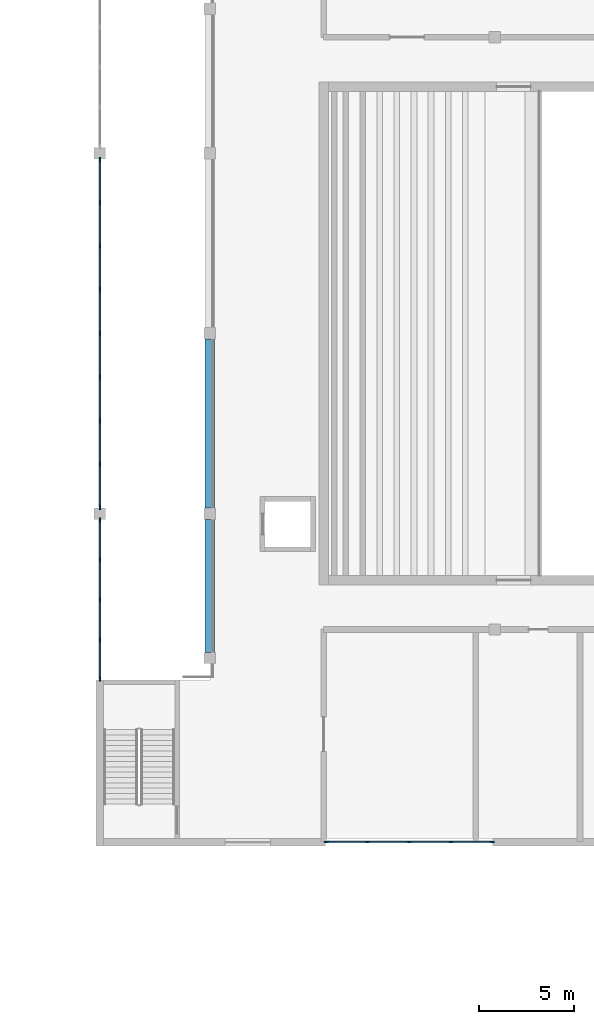
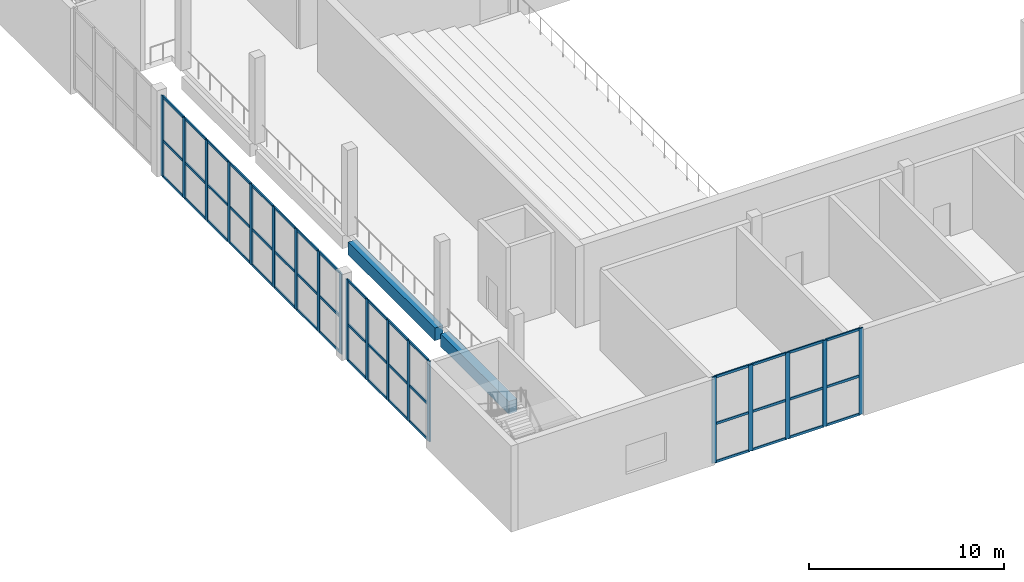
# One storey, part 9 of 43: 67 members, 2 beams, 3 elements without a shape of their own.
"""IFC4 building model written with IfcOpenShell, lengths in metres."""

from ifc_helpers import new_model, si_unit, direction, frame, origin, origin_2d, place, context, subcontext, project, spatial, rectangle, extrude, material, material_profile, profile_set, type_object, element, aggregate, save


model = new_model("IFC4")

# Units and contexts
model_context = context("Model", 3, precision=1e-05, world=origin(), true_north=direction((0.0, 1.0)))
body_context = subcontext(model_context, "Body", "Model", "MODEL_VIEW")
ifc_project = project(units=[si_unit("LENGTHUNIT", "METRE"), si_unit("AREAUNIT", "SQUARE_METRE"), si_unit("VOLUMEUNIT", "CUBIC_METRE"), si_unit("PLANEANGLEUNIT", "RADIAN"), si_unit("MASSUNIT", "GRAM", prefix="KILO")], contexts=[model_context])

# Site, building, storey
site_placement = place(None, origin())
site = spatial("IfcSite", under=ifc_project, at=site_placement, CompositionType="ELEMENT")
building_placement = place(site_placement, origin())
building = spatial("IfcBuilding", under=site, at=building_placement, Name="Hunhe Ridgeline Campus", CompositionType="ELEMENT")
storey_placement = place(building_placement, frame((0.0, 0.0, 11.39990234375)))
storey = spatial("IfcBuildingStorey", under=building, at=storey_placement, Name="L02", CompositionType="ELEMENT", Elevation=11.39990234375)

# Curtain wall, members
ifc_material_1 = material(Name="Aluminium and glass", Category="aluminium")
curtain_wall_type = type_object("IfcCurtainWallType", Name="Hall foyer curtain wall CW-H", PredefinedType="NOTDEFINED", material=ifc_material_1)
curtain_wall_1_placement = place(storey_placement, origin())
curtain_wall_1 = element("IfcCurtainWall", 1, at=curtain_wall_1_placement, inside=storey, type_object=curtain_wall_type, Name="L02 foyer curtain wall 7", PredefinedType="NOTDEFINED")
ifc_material_2 = material(Name="Aluminium", Category="aluminium")
ifc_material_profile_1 = material_profile(ifc_material_2, rectangle(XDim=0.080078125, YDim=0.25, at=origin_2d()))
ifc_profile_set_1 = profile_set([ifc_material_profile_1], Name="Aluminium")
member_type_1 = type_object("IfcMemberType", Name="CW-H mullion 80x250", PredefinedType="MULLION", material=ifc_profile_set_1)
member_1_placement = place(storey_placement, frame((150.199951171875, 31.2900390625, 0.0), z_axis=(0.0, 0.0, 1.0), x_axis=(-1.0, 0.0, 0.0)))
member_1 = element("IfcMember", 2, at=member_1_placement, type_object=member_type_1, Name="HCW1 mullion 1", PredefinedType="MULLION", context=body_context, shape_type="SweptSolid", body=[
    extrude(rectangle(XDim=0.080078125, YDim=0.25, at=origin_2d()), origin(), (0.0, 0.0, 1.0), 5.050048828125),
])
member_2_placement = place(storey_placement, frame((150.199951171875, 33.362548828125, 0.0), z_axis=(0.0, 0.0, 1.0), x_axis=(-1.0, 0.0, 0.0)))
member_2 = element("IfcMember", 3, at=member_2_placement, type_object=member_type_1, Name="HCW1 mullion 2", PredefinedType="MULLION", context=body_context, shape_type="SweptSolid", body=[
    extrude(rectangle(XDim=0.080078125, YDim=0.25, at=origin_2d()), origin(), (0.0, 0.0, 1.0), 5.050048828125),
])
member_3_placement = place(storey_placement, frame((150.199951171875, 35.47509765625, 0.0), z_axis=(0.0, 0.0, 1.0), x_axis=(-1.0, 0.0, 0.0)))
member_3 = element("IfcMember", 4, at=member_3_placement, type_object=member_type_1, Name="HCW1 mullion 3", PredefinedType="MULLION", context=body_context, shape_type="SweptSolid", body=[
    extrude(rectangle(XDim=0.080078125, YDim=0.25, at=origin_2d()), origin(), (0.0, 0.0, 1.0), 5.050048828125),
])
member_4_placement = place(storey_placement, frame((150.199951171875, 37.58740234375, 0.0), z_axis=(0.0, 0.0, 1.0), x_axis=(-1.0, 0.0, 0.0)))
member_4 = element("IfcMember", 5, at=member_4_placement, type_object=member_type_1, Name="HCW1 mullion 4", PredefinedType="MULLION", context=body_context, shape_type="SweptSolid", body=[
    extrude(rectangle(XDim=0.080078125, YDim=0.25, at=origin_2d()), origin(), (0.0, 0.0, 1.0), 5.050048828125),
])
member_5_placement = place(storey_placement, frame((150.199951171875, 39.659912109375, 0.0), z_axis=(0.0, 0.0, 1.0), x_axis=(-1.0, 0.0, 0.0)))
member_5 = element("IfcMember", 6, at=member_5_placement, type_object=member_type_1, Name="HCW1 mullion 5", PredefinedType="MULLION", context=body_context, shape_type="SweptSolid", body=[
    extrude(rectangle(XDim=0.080078125, YDim=0.25, at=origin_2d()), origin(), (0.0, 0.0, 1.0), 5.050048828125),
])

curtain_wall_2_placement = place(storey_placement, origin())
curtain_wall_2 = element("IfcCurtainWall", 7, at=curtain_wall_2_placement, inside=storey, type_object=curtain_wall_type, Name="L02 foyer curtain wall 8", PredefinedType="NOTDEFINED")
member_6_placement = place(storey_placement, frame((150.199951171875, 40.340087890625, 0.0), z_axis=(0.0, 0.0, 1.0), x_axis=(-1.0, 0.0, 0.0)))
member_6 = element("IfcMember", 8, at=member_6_placement, type_object=member_type_1, Name="HCW1 mullion 1", PredefinedType="MULLION", context=body_context, shape_type="SweptSolid", body=[
    extrude(rectangle(XDim=0.080078125, YDim=0.25, at=origin_2d()), origin(), (0.0, 0.0, 1.0), 5.050048828125),
])
member_7_placement = place(storey_placement, frame((150.199951171875, 42.60009765625, 0.0), z_axis=(0.0, 0.0, 1.0), x_axis=(-1.0, 0.0, 0.0)))
member_7 = element("IfcMember", 9, at=member_7_placement, type_object=member_type_1, Name="HCW1 mullion 2", PredefinedType="MULLION", context=body_context, shape_type="SweptSolid", body=[
    extrude(rectangle(XDim=0.080078125, YDim=0.25, at=origin_2d()), origin(), (0.0, 0.0, 1.0), 5.050048828125),
])
member_8_placement = place(storey_placement, frame((150.199951171875, 44.89990234375, 0.0), z_axis=(0.0, 0.0, 1.0), x_axis=(-1.0, 0.0, 0.0)))
member_8 = element("IfcMember", 10, at=member_8_placement, type_object=member_type_1, Name="HCW1 mullion 3", PredefinedType="MULLION", context=body_context, shape_type="SweptSolid", body=[
    extrude(rectangle(XDim=0.080078125, YDim=0.25, at=origin_2d()), origin(), (0.0, 0.0, 1.0), 5.050048828125),
])
member_9_placement = place(storey_placement, frame((150.199951171875, 47.199951171875, 0.0), z_axis=(0.0, 0.0, 1.0), x_axis=(-1.0, 0.0, 0.0)))
member_9 = element("IfcMember", 11, at=member_9_placement, type_object=member_type_1, Name="HCW1 mullion 4", PredefinedType="MULLION", context=body_context, shape_type="SweptSolid", body=[
    extrude(rectangle(XDim=0.080078125, YDim=0.25, at=origin_2d()), origin(), (0.0, 0.0, 1.0), 5.050048828125),
])
member_10_placement = place(storey_placement, frame((150.199951171875, 49.5, 0.0), z_axis=(0.0, 0.0, 1.0), x_axis=(-1.0, 0.0, 0.0)))
member_10 = element("IfcMember", 12, at=member_10_placement, type_object=member_type_1, Name="HCW1 mullion 5", PredefinedType="MULLION", context=body_context, shape_type="SweptSolid", body=[
    extrude(rectangle(XDim=0.080078125, YDim=0.25, at=origin_2d()), origin(), (0.0, 0.0, 1.0), 5.050048828125),
])
member_11_placement = place(storey_placement, frame((150.199951171875, 51.800048828125, 0.0), z_axis=(0.0, 0.0, 1.0), x_axis=(-1.0, 0.0, 0.0)))
member_11 = element("IfcMember", 13, at=member_11_placement, type_object=member_type_1, Name="HCW1 mullion 6", PredefinedType="MULLION", context=body_context, shape_type="SweptSolid", body=[
    extrude(rectangle(XDim=0.080078125, YDim=0.25, at=origin_2d()), origin(), (0.0, 0.0, 1.0), 5.050048828125),
])
member_12_placement = place(storey_placement, frame((150.199951171875, 54.10009765625, 0.0), z_axis=(0.0, 0.0, 1.0), x_axis=(-1.0, 0.0, 0.0)))
member_12 = element("IfcMember", 14, at=member_12_placement, type_object=member_type_1, Name="HCW1 mullion 7", PredefinedType="MULLION", context=body_context, shape_type="SweptSolid", body=[
    extrude(rectangle(XDim=0.080078125, YDim=0.25, at=origin_2d()), origin(), (0.0, 0.0, 1.0), 5.050048828125),
])
member_13_placement = place(storey_placement, frame((150.199951171875, 56.39990234375, 0.0), z_axis=(0.0, 0.0, 1.0), x_axis=(-1.0, 0.0, 0.0)))
member_13 = element("IfcMember", 15, at=member_13_placement, type_object=member_type_1, Name="HCW1 mullion 8", PredefinedType="MULLION", context=body_context, shape_type="SweptSolid", body=[
    extrude(rectangle(XDim=0.080078125, YDim=0.25, at=origin_2d()), origin(), (0.0, 0.0, 1.0), 5.050048828125),
])
member_14_placement = place(storey_placement, frame((150.199951171875, 58.659912109375, 0.0), z_axis=(0.0, 0.0, 1.0), x_axis=(-1.0, 0.0, 0.0)))
member_14 = element("IfcMember", 16, at=member_14_placement, type_object=member_type_1, Name="HCW1 mullion 9", PredefinedType="MULLION", context=body_context, shape_type="SweptSolid", body=[
    extrude(rectangle(XDim=0.080078125, YDim=0.25, at=origin_2d()), origin(), (0.0, 0.0, 1.0), 5.050048828125),
])

curtain_wall_3_placement = place(storey_placement, origin())
curtain_wall_3 = element("IfcCurtainWall", 17, at=curtain_wall_3_placement, inside=storey, type_object=curtain_wall_type, Name="L02 south curtain wall 10", PredefinedType="NOTDEFINED")
member_15_placement = place(storey_placement, frame((162.139892578125, 22.699951171875, -0.349853515625), z_axis=(0.0, 0.0, 1.0), x_axis=(0.0, 1.0, 0.0)))
member_15 = element("IfcMember", 18, at=member_15_placement, type_object=member_type_1, Name="HCW1 mullion 1", PredefinedType="MULLION", context=body_context, shape_type="SweptSolid", body=[
    extrude(rectangle(XDim=0.080078125, YDim=0.25, at=origin_2d()), origin(), (0.0, 0.0, 1.0), 5.39990234375),
])
member_16_placement = place(storey_placement, frame((164.300048828125, 22.699951171875, -0.349853515625), z_axis=(0.0, 0.0, 1.0), x_axis=(0.0, 1.0, 0.0)))
member_16 = element("IfcMember", 19, at=member_16_placement, type_object=member_type_1, Name="HCW1 mullion 2", PredefinedType="MULLION", context=body_context, shape_type="SweptSolid", body=[
    extrude(rectangle(XDim=0.080078125, YDim=0.25, at=origin_2d()), origin(), (0.0, 0.0, 1.0), 5.39990234375),
])
member_17_placement = place(storey_placement, frame((166.5, 22.699951171875, -0.349853515625), z_axis=(0.0, 0.0, 1.0), x_axis=(0.0, 1.0, 0.0)))
member_17 = element("IfcMember", 20, at=member_17_placement, type_object=member_type_1, Name="HCW1 mullion 3", PredefinedType="MULLION", context=body_context, shape_type="SweptSolid", body=[
    extrude(rectangle(XDim=0.080078125, YDim=0.25, at=origin_2d()), origin(), (0.0, 0.0, 1.0), 5.39990234375),
])
member_18_placement = place(storey_placement, frame((168.699951171875, 22.699951171875, -0.349853515625), z_axis=(0.0, 0.0, 1.0), x_axis=(0.0, 1.0, 0.0)))
member_18 = element("IfcMember", 21, at=member_18_placement, type_object=member_type_1, Name="HCW1 mullion 4", PredefinedType="MULLION", context=body_context, shape_type="SweptSolid", body=[
    extrude(rectangle(XDim=0.080078125, YDim=0.25, at=origin_2d()), origin(), (0.0, 0.0, 1.0), 5.39990234375),
])
member_19_placement = place(storey_placement, frame((170.860107421875, 22.699951171875, -0.349853515625), z_axis=(0.0, 0.0, 1.0), x_axis=(0.0, 1.0, 0.0)))
member_19 = element("IfcMember", 22, at=member_19_placement, type_object=member_type_1, Name="HCW1 mullion 5", PredefinedType="MULLION", context=body_context, shape_type="SweptSolid", body=[
    extrude(rectangle(XDim=0.080078125, YDim=0.25, at=origin_2d()), origin(), (0.0, 0.0, 1.0), 5.39990234375),
])

# Member
ifc_material_profile_2 = material_profile(ifc_material_2, rectangle(XDim=0.080078125, YDim=0.14990234375, at=origin_2d()))
ifc_profile_set_2 = profile_set([ifc_material_profile_2], Name="Aluminium")
member_type_2 = type_object("IfcMemberType", Name="CW-H transom 80x150", PredefinedType="USERDEFINED", material=ifc_profile_set_2)
member_20_placement = place(storey_placement, frame((150.199951171875, 31.330078125, 0.0400390625), z_axis=(0.0, 1.0, 0.0), x_axis=(-1.0, 0.0, 0.0)))
member_20 = element("IfcMember", 23, at=member_20_placement, type_object=member_type_2, Name="HCW1 transom 1.1", ObjectType="TRANSOM", PredefinedType="USERDEFINED", context=body_context, shape_type="SweptSolid", body=[
    extrude(rectangle(XDim=0.080078125, YDim=0.14990234375, at=origin_2d()), origin(), (0.0, 0.0, 1.0), 1.992431640625),
])

member_21_placement = place(storey_placement, frame((150.199951171875, 31.330078125, 2.272705078125), z_axis=(0.0, 1.0, 0.0), x_axis=(-1.0, 0.0, 0.0)))
member_21 = element("IfcMember", 24, at=member_21_placement, type_object=member_type_2, Name="HCW1 transom 1.2", ObjectType="TRANSOM", PredefinedType="USERDEFINED", context=body_context, shape_type="SweptSolid", body=[
    extrude(rectangle(XDim=0.080078125, YDim=0.14990234375, at=origin_2d()), origin(), (0.0, 0.0, 1.0), 1.992431640625),
])

member_22_placement = place(storey_placement, frame((150.199951171875, 31.330078125, 5.010009765625), z_axis=(0.0, 1.0, 0.0), x_axis=(-1.0, 0.0, 0.0)))
member_22 = element("IfcMember", 25, at=member_22_placement, type_object=member_type_2, Name="HCW1 transom 1.3", ObjectType="TRANSOM", PredefinedType="USERDEFINED", context=body_context, shape_type="SweptSolid", body=[
    extrude(rectangle(XDim=0.080078125, YDim=0.14990234375, at=origin_2d()), origin(), (0.0, 0.0, 1.0), 1.992431640625),
])

member_23_placement = place(storey_placement, frame((150.199951171875, 33.402587890625, 0.0400390625), z_axis=(0.0, 1.0, 0.0), x_axis=(-1.0, 0.0, 0.0)))
member_23 = element("IfcMember", 26, at=member_23_placement, type_object=member_type_2, Name="HCW1 transom 2.1", ObjectType="TRANSOM", PredefinedType="USERDEFINED", context=body_context, shape_type="SweptSolid", body=[
    extrude(rectangle(XDim=0.080078125, YDim=0.14990234375, at=origin_2d()), origin(), (0.0, 0.0, 1.0), 2.032470703125),
])

member_24_placement = place(storey_placement, frame((150.199951171875, 33.402587890625, 2.272705078125), z_axis=(0.0, 1.0, 0.0), x_axis=(-1.0, 0.0, 0.0)))
member_24 = element("IfcMember", 27, at=member_24_placement, type_object=member_type_2, Name="HCW1 transom 2.2", ObjectType="TRANSOM", PredefinedType="USERDEFINED", context=body_context, shape_type="SweptSolid", body=[
    extrude(rectangle(XDim=0.080078125, YDim=0.14990234375, at=origin_2d()), origin(), (0.0, 0.0, 1.0), 2.032470703125),
])

member_25_placement = place(storey_placement, frame((150.199951171875, 33.402587890625, 5.010009765625), z_axis=(0.0, 1.0, 0.0), x_axis=(-1.0, 0.0, 0.0)))
member_25 = element("IfcMember", 28, at=member_25_placement, type_object=member_type_2, Name="HCW1 transom 2.3", ObjectType="TRANSOM", PredefinedType="USERDEFINED", context=body_context, shape_type="SweptSolid", body=[
    extrude(rectangle(XDim=0.080078125, YDim=0.14990234375, at=origin_2d()), origin(), (0.0, 0.0, 1.0), 2.032470703125),
])

member_26_placement = place(storey_placement, frame((150.199951171875, 35.514892578125, 0.0400390625), z_axis=(0.0, 1.0, 0.0), x_axis=(-1.0, 0.0, 0.0)))
member_26 = element("IfcMember", 29, at=member_26_placement, type_object=member_type_2, Name="HCW1 transom 3.1", ObjectType="TRANSOM", PredefinedType="USERDEFINED", context=body_context, shape_type="SweptSolid", body=[
    extrude(rectangle(XDim=0.080078125, YDim=0.14990234375, at=origin_2d()), origin(), (0.0, 0.0, 1.0), 2.03271484375),
])

member_27_placement = place(storey_placement, frame((150.199951171875, 35.514892578125, 2.272705078125), z_axis=(0.0, 1.0, 0.0), x_axis=(-1.0, 0.0, 0.0)))
member_27 = element("IfcMember", 30, at=member_27_placement, type_object=member_type_2, Name="HCW1 transom 3.2", ObjectType="TRANSOM", PredefinedType="USERDEFINED", context=body_context, shape_type="SweptSolid", body=[
    extrude(rectangle(XDim=0.080078125, YDim=0.14990234375, at=origin_2d()), origin(), (0.0, 0.0, 1.0), 2.03271484375),
])

member_28_placement = place(storey_placement, frame((150.199951171875, 35.514892578125, 5.010009765625), z_axis=(0.0, 1.0, 0.0), x_axis=(-1.0, 0.0, 0.0)))
member_28 = element("IfcMember", 31, at=member_28_placement, type_object=member_type_2, Name="HCW1 transom 3.3", ObjectType="TRANSOM", PredefinedType="USERDEFINED", context=body_context, shape_type="SweptSolid", body=[
    extrude(rectangle(XDim=0.080078125, YDim=0.14990234375, at=origin_2d()), origin(), (0.0, 0.0, 1.0), 2.03271484375),
])

member_29_placement = place(storey_placement, frame((150.199951171875, 37.62744140625, 0.0400390625), z_axis=(0.0, 1.0, 0.0), x_axis=(-1.0, 0.0, 0.0)))
member_29 = element("IfcMember", 32, at=member_29_placement, type_object=member_type_2, Name="HCW1 transom 4.1", ObjectType="TRANSOM", PredefinedType="USERDEFINED", context=body_context, shape_type="SweptSolid", body=[
    extrude(rectangle(XDim=0.080078125, YDim=0.14990234375, at=origin_2d()), origin(), (0.0, 0.0, 1.0), 1.99267578125),
])

member_30_placement = place(storey_placement, frame((150.199951171875, 37.62744140625, 2.272705078125), z_axis=(0.0, 1.0, 0.0), x_axis=(-1.0, 0.0, 0.0)))
member_30 = element("IfcMember", 33, at=member_30_placement, type_object=member_type_2, Name="HCW1 transom 4.2", ObjectType="TRANSOM", PredefinedType="USERDEFINED", context=body_context, shape_type="SweptSolid", body=[
    extrude(rectangle(XDim=0.080078125, YDim=0.14990234375, at=origin_2d()), origin(), (0.0, 0.0, 1.0), 1.99267578125),
])

member_31_placement = place(storey_placement, frame((150.199951171875, 37.62744140625, 5.010009765625), z_axis=(0.0, 1.0, 0.0), x_axis=(-1.0, 0.0, 0.0)))
member_31 = element("IfcMember", 34, at=member_31_placement, type_object=member_type_2, Name="HCW1 transom 4.3", ObjectType="TRANSOM", PredefinedType="USERDEFINED", context=body_context, shape_type="SweptSolid", body=[
    extrude(rectangle(XDim=0.080078125, YDim=0.14990234375, at=origin_2d()), origin(), (0.0, 0.0, 1.0), 1.99267578125),
])

aggregate(curtain_wall_1, [member_1, member_2, member_3, member_4, member_5, member_20, member_21, member_22, member_23, member_24, member_25, member_26, member_27, member_28, member_29, member_30, member_31])

member_32_placement = place(storey_placement, frame((150.199951171875, 40.3798828125, 0.0400390625), z_axis=(0.0, 1.0, 0.0), x_axis=(-1.0, 0.0, 0.0)))
member_32 = element("IfcMember", 35, at=member_32_placement, type_object=member_type_2, Name="HCW1 transom 1.1", ObjectType="TRANSOM", PredefinedType="USERDEFINED", context=body_context, shape_type="SweptSolid", body=[
    extrude(rectangle(XDim=0.080078125, YDim=0.14990234375, at=origin_2d()), origin(), (0.0, 0.0, 1.0), 2.18017578125),
])

member_33_placement = place(storey_placement, frame((150.199951171875, 40.3798828125, 2.272705078125), z_axis=(0.0, 1.0, 0.0), x_axis=(-1.0, 0.0, 0.0)))
member_33 = element("IfcMember", 36, at=member_33_placement, type_object=member_type_2, Name="HCW1 transom 1.2", ObjectType="TRANSOM", PredefinedType="USERDEFINED", context=body_context, shape_type="SweptSolid", body=[
    extrude(rectangle(XDim=0.080078125, YDim=0.14990234375, at=origin_2d()), origin(), (0.0, 0.0, 1.0), 2.18017578125),
])

member_34_placement = place(storey_placement, frame((150.199951171875, 40.3798828125, 5.010009765625), z_axis=(0.0, 1.0, 0.0), x_axis=(-1.0, 0.0, 0.0)))
member_34 = element("IfcMember", 37, at=member_34_placement, type_object=member_type_2, Name="HCW1 transom 1.3", ObjectType="TRANSOM", PredefinedType="USERDEFINED", context=body_context, shape_type="SweptSolid", body=[
    extrude(rectangle(XDim=0.080078125, YDim=0.14990234375, at=origin_2d()), origin(), (0.0, 0.0, 1.0), 2.18017578125),
])

member_35_placement = place(storey_placement, frame((150.199951171875, 42.639892578125, 0.0400390625), z_axis=(0.0, 1.0, 0.0), x_axis=(-1.0, 0.0, 0.0)))
member_35 = element("IfcMember", 38, at=member_35_placement, type_object=member_type_2, Name="HCW1 transom 2.1", ObjectType="TRANSOM", PredefinedType="USERDEFINED", context=body_context, shape_type="SweptSolid", body=[
    extrude(rectangle(XDim=0.080078125, YDim=0.14990234375, at=origin_2d()), origin(), (0.0, 0.0, 1.0), 2.22021484375),
])

member_36_placement = place(storey_placement, frame((150.199951171875, 42.639892578125, 2.272705078125), z_axis=(0.0, 1.0, 0.0), x_axis=(-1.0, 0.0, 0.0)))
member_36 = element("IfcMember", 39, at=member_36_placement, type_object=member_type_2, Name="HCW1 transom 2.2", ObjectType="TRANSOM", PredefinedType="USERDEFINED", context=body_context, shape_type="SweptSolid", body=[
    extrude(rectangle(XDim=0.080078125, YDim=0.14990234375, at=origin_2d()), origin(), (0.0, 0.0, 1.0), 2.22021484375),
])

member_37_placement = place(storey_placement, frame((150.199951171875, 42.639892578125, 5.010009765625), z_axis=(0.0, 1.0, 0.0), x_axis=(-1.0, 0.0, 0.0)))
member_37 = element("IfcMember", 40, at=member_37_placement, type_object=member_type_2, Name="HCW1 transom 2.3", ObjectType="TRANSOM", PredefinedType="USERDEFINED", context=body_context, shape_type="SweptSolid", body=[
    extrude(rectangle(XDim=0.080078125, YDim=0.14990234375, at=origin_2d()), origin(), (0.0, 0.0, 1.0), 2.22021484375),
])

member_38_placement = place(storey_placement, frame((150.199951171875, 44.93994140625, 0.0400390625), z_axis=(0.0, 1.0, 0.0), x_axis=(-1.0, 0.0, 0.0)))
member_38 = element("IfcMember", 41, at=member_38_placement, type_object=member_type_2, Name="HCW1 transom 3.1", ObjectType="TRANSOM", PredefinedType="USERDEFINED", context=body_context, shape_type="SweptSolid", body=[
    extrude(rectangle(XDim=0.080078125, YDim=0.14990234375, at=origin_2d()), origin(), (0.0, 0.0, 1.0), 2.219970703125),
])

member_39_placement = place(storey_placement, frame((150.199951171875, 44.93994140625, 2.272705078125), z_axis=(0.0, 1.0, 0.0), x_axis=(-1.0, 0.0, 0.0)))
member_39 = element("IfcMember", 42, at=member_39_placement, type_object=member_type_2, Name="HCW1 transom 3.2", ObjectType="TRANSOM", PredefinedType="USERDEFINED", context=body_context, shape_type="SweptSolid", body=[
    extrude(rectangle(XDim=0.080078125, YDim=0.14990234375, at=origin_2d()), origin(), (0.0, 0.0, 1.0), 2.219970703125),
])

member_40_placement = place(storey_placement, frame((150.199951171875, 44.93994140625, 5.010009765625), z_axis=(0.0, 1.0, 0.0), x_axis=(-1.0, 0.0, 0.0)))
member_40 = element("IfcMember", 43, at=member_40_placement, type_object=member_type_2, Name="HCW1 transom 3.3", ObjectType="TRANSOM", PredefinedType="USERDEFINED", context=body_context, shape_type="SweptSolid", body=[
    extrude(rectangle(XDim=0.080078125, YDim=0.14990234375, at=origin_2d()), origin(), (0.0, 0.0, 1.0), 2.219970703125),
])

member_41_placement = place(storey_placement, frame((150.199951171875, 47.239990234375, 0.0400390625), z_axis=(0.0, 1.0, 0.0), x_axis=(-1.0, 0.0, 0.0)))
member_41 = element("IfcMember", 44, at=member_41_placement, type_object=member_type_2, Name="HCW1 transom 4.1", ObjectType="TRANSOM", PredefinedType="USERDEFINED", context=body_context, shape_type="SweptSolid", body=[
    extrude(rectangle(XDim=0.080078125, YDim=0.14990234375, at=origin_2d()), origin(), (0.0, 0.0, 1.0), 2.219970703125),
])

member_42_placement = place(storey_placement, frame((150.199951171875, 47.239990234375, 2.272705078125), z_axis=(0.0, 1.0, 0.0), x_axis=(-1.0, 0.0, 0.0)))
member_42 = element("IfcMember", 45, at=member_42_placement, type_object=member_type_2, Name="HCW1 transom 4.2", ObjectType="TRANSOM", PredefinedType="USERDEFINED", context=body_context, shape_type="SweptSolid", body=[
    extrude(rectangle(XDim=0.080078125, YDim=0.14990234375, at=origin_2d()), origin(), (0.0, 0.0, 1.0), 2.219970703125),
])

member_43_placement = place(storey_placement, frame((150.199951171875, 47.239990234375, 5.010009765625), z_axis=(0.0, 1.0, 0.0), x_axis=(-1.0, 0.0, 0.0)))
member_43 = element("IfcMember", 46, at=member_43_placement, type_object=member_type_2, Name="HCW1 transom 4.3", ObjectType="TRANSOM", PredefinedType="USERDEFINED", context=body_context, shape_type="SweptSolid", body=[
    extrude(rectangle(XDim=0.080078125, YDim=0.14990234375, at=origin_2d()), origin(), (0.0, 0.0, 1.0), 2.219970703125),
])

member_44_placement = place(storey_placement, frame((150.199951171875, 49.5400390625, 0.0400390625), z_axis=(0.0, 1.0, 0.0), x_axis=(-1.0, 0.0, 0.0)))
member_44 = element("IfcMember", 47, at=member_44_placement, type_object=member_type_2, Name="HCW1 transom 5.1", ObjectType="TRANSOM", PredefinedType="USERDEFINED", context=body_context, shape_type="SweptSolid", body=[
    extrude(rectangle(XDim=0.080078125, YDim=0.14990234375, at=origin_2d()), origin(), (0.0, 0.0, 1.0), 2.219970703125),
])

member_45_placement = place(storey_placement, frame((150.199951171875, 49.5400390625, 2.272705078125), z_axis=(0.0, 1.0, 0.0), x_axis=(-1.0, 0.0, 0.0)))
member_45 = element("IfcMember", 48, at=member_45_placement, type_object=member_type_2, Name="HCW1 transom 5.2", ObjectType="TRANSOM", PredefinedType="USERDEFINED", context=body_context, shape_type="SweptSolid", body=[
    extrude(rectangle(XDim=0.080078125, YDim=0.14990234375, at=origin_2d()), origin(), (0.0, 0.0, 1.0), 2.219970703125),
])

member_46_placement = place(storey_placement, frame((150.199951171875, 49.5400390625, 5.010009765625), z_axis=(0.0, 1.0, 0.0), x_axis=(-1.0, 0.0, 0.0)))
member_46 = element("IfcMember", 49, at=member_46_placement, type_object=member_type_2, Name="HCW1 transom 5.3", ObjectType="TRANSOM", PredefinedType="USERDEFINED", context=body_context, shape_type="SweptSolid", body=[
    extrude(rectangle(XDim=0.080078125, YDim=0.14990234375, at=origin_2d()), origin(), (0.0, 0.0, 1.0), 2.219970703125),
])

member_47_placement = place(storey_placement, frame((150.199951171875, 51.840087890625, 0.0400390625), z_axis=(0.0, 1.0, 0.0), x_axis=(-1.0, 0.0, 0.0)))
member_47 = element("IfcMember", 50, at=member_47_placement, type_object=member_type_2, Name="HCW1 transom 6.1", ObjectType="TRANSOM", PredefinedType="USERDEFINED", context=body_context, shape_type="SweptSolid", body=[
    extrude(rectangle(XDim=0.080078125, YDim=0.14990234375, at=origin_2d()), origin(), (0.0, 0.0, 1.0), 2.219970703125),
])

member_48_placement = place(storey_placement, frame((150.199951171875, 51.840087890625, 2.272705078125), z_axis=(0.0, 1.0, 0.0), x_axis=(-1.0, 0.0, 0.0)))
member_48 = element("IfcMember", 51, at=member_48_placement, type_object=member_type_2, Name="HCW1 transom 6.2", ObjectType="TRANSOM", PredefinedType="USERDEFINED", context=body_context, shape_type="SweptSolid", body=[
    extrude(rectangle(XDim=0.080078125, YDim=0.14990234375, at=origin_2d()), origin(), (0.0, 0.0, 1.0), 2.219970703125),
])

member_49_placement = place(storey_placement, frame((150.199951171875, 51.840087890625, 5.010009765625), z_axis=(0.0, 1.0, 0.0), x_axis=(-1.0, 0.0, 0.0)))
member_49 = element("IfcMember", 52, at=member_49_placement, type_object=member_type_2, Name="HCW1 transom 6.3", ObjectType="TRANSOM", PredefinedType="USERDEFINED", context=body_context, shape_type="SweptSolid", body=[
    extrude(rectangle(XDim=0.080078125, YDim=0.14990234375, at=origin_2d()), origin(), (0.0, 0.0, 1.0), 2.219970703125),
])

member_50_placement = place(storey_placement, frame((150.199951171875, 54.139892578125, 0.0400390625), z_axis=(0.0, 1.0, 0.0), x_axis=(-1.0, 0.0, 0.0)))
member_50 = element("IfcMember", 53, at=member_50_placement, type_object=member_type_2, Name="HCW1 transom 7.1", ObjectType="TRANSOM", PredefinedType="USERDEFINED", context=body_context, shape_type="SweptSolid", body=[
    extrude(rectangle(XDim=0.080078125, YDim=0.14990234375, at=origin_2d()), origin(), (0.0, 0.0, 1.0), 2.22021484375),
])

member_51_placement = place(storey_placement, frame((150.199951171875, 54.139892578125, 2.272705078125), z_axis=(0.0, 1.0, 0.0), x_axis=(-1.0, 0.0, 0.0)))
member_51 = element("IfcMember", 54, at=member_51_placement, type_object=member_type_2, Name="HCW1 transom 7.2", ObjectType="TRANSOM", PredefinedType="USERDEFINED", context=body_context, shape_type="SweptSolid", body=[
    extrude(rectangle(XDim=0.080078125, YDim=0.14990234375, at=origin_2d()), origin(), (0.0, 0.0, 1.0), 2.22021484375),
])

member_52_placement = place(storey_placement, frame((150.199951171875, 54.139892578125, 5.010009765625), z_axis=(0.0, 1.0, 0.0), x_axis=(-1.0, 0.0, 0.0)))
member_52 = element("IfcMember", 55, at=member_52_placement, type_object=member_type_2, Name="HCW1 transom 7.3", ObjectType="TRANSOM", PredefinedType="USERDEFINED", context=body_context, shape_type="SweptSolid", body=[
    extrude(rectangle(XDim=0.080078125, YDim=0.14990234375, at=origin_2d()), origin(), (0.0, 0.0, 1.0), 2.22021484375),
])

member_53_placement = place(storey_placement, frame((150.199951171875, 56.43994140625, 0.0400390625), z_axis=(0.0, 1.0, 0.0), x_axis=(-1.0, 0.0, 0.0)))
member_53 = element("IfcMember", 56, at=member_53_placement, type_object=member_type_2, Name="HCW1 transom 8.1", ObjectType="TRANSOM", PredefinedType="USERDEFINED", context=body_context, shape_type="SweptSolid", body=[
    extrude(rectangle(XDim=0.080078125, YDim=0.14990234375, at=origin_2d()), origin(), (0.0, 0.0, 1.0), 2.18017578125),
])

member_54_placement = place(storey_placement, frame((150.199951171875, 56.43994140625, 2.272705078125), z_axis=(0.0, 1.0, 0.0), x_axis=(-1.0, 0.0, 0.0)))
member_54 = element("IfcMember", 57, at=member_54_placement, type_object=member_type_2, Name="HCW1 transom 8.2", ObjectType="TRANSOM", PredefinedType="USERDEFINED", context=body_context, shape_type="SweptSolid", body=[
    extrude(rectangle(XDim=0.080078125, YDim=0.14990234375, at=origin_2d()), origin(), (0.0, 0.0, 1.0), 2.18017578125),
])

member_55_placement = place(storey_placement, frame((150.199951171875, 56.43994140625, 5.010009765625), z_axis=(0.0, 1.0, 0.0), x_axis=(-1.0, 0.0, 0.0)))
member_55 = element("IfcMember", 58, at=member_55_placement, type_object=member_type_2, Name="HCW1 transom 8.3", ObjectType="TRANSOM", PredefinedType="USERDEFINED", context=body_context, shape_type="SweptSolid", body=[
    extrude(rectangle(XDim=0.080078125, YDim=0.14990234375, at=origin_2d()), origin(), (0.0, 0.0, 1.0), 2.18017578125),
])

aggregate(curtain_wall_2, [member_6, member_7, member_8, member_9, member_10, member_11, member_12, member_13, member_14, member_32, member_33, member_34, member_35, member_36, member_37, member_38, member_39, member_40, member_41, member_42, member_43, member_44, member_45, member_46, member_47, member_48, member_49, member_50, member_51, member_52, member_53, member_54, member_55])

member_56_placement = place(storey_placement, frame((162.179931640625, 22.699951171875, -0.309814453125), z_axis=(1.0, 0.0, 0.0), x_axis=(0.0, 1.0, 0.0)))
member_56 = element("IfcMember", 59, at=member_56_placement, type_object=member_type_2, Name="HCW1 transom 1.1", ObjectType="TRANSOM", PredefinedType="USERDEFINED", context=body_context, shape_type="SweptSolid", body=[
    extrude(rectangle(XDim=0.080078125, YDim=0.14990234375, at=origin_2d()), origin(), (0.0, 0.0, 1.0), 2.080078125),
])

member_57_placement = place(storey_placement, frame((162.179931640625, 22.699951171875, 2.080078125), z_axis=(1.0, 0.0, 0.0), x_axis=(0.0, 1.0, 0.0)))
member_57 = element("IfcMember", 60, at=member_57_placement, type_object=member_type_2, Name="HCW1 transom 1.2", ObjectType="TRANSOM", PredefinedType="USERDEFINED", context=body_context, shape_type="SweptSolid", body=[
    extrude(rectangle(XDim=0.080078125, YDim=0.14990234375, at=origin_2d()), origin(), (0.0, 0.0, 1.0), 2.080078125),
])

member_58_placement = place(storey_placement, frame((162.179931640625, 22.699951171875, 5.010009765625), z_axis=(1.0, 0.0, 0.0), x_axis=(0.0, 1.0, 0.0)))
member_58 = element("IfcMember", 61, at=member_58_placement, type_object=member_type_2, Name="HCW1 transom 1.3", ObjectType="TRANSOM", PredefinedType="USERDEFINED", context=body_context, shape_type="SweptSolid", body=[
    extrude(rectangle(XDim=0.080078125, YDim=0.14990234375, at=origin_2d()), origin(), (0.0, 0.0, 1.0), 2.080078125),
])

member_59_placement = place(storey_placement, frame((164.340087890625, 22.699951171875, -0.309814453125), z_axis=(1.0, 0.0, 0.0), x_axis=(0.0, 1.0, 0.0)))
member_59 = element("IfcMember", 62, at=member_59_placement, type_object=member_type_2, Name="HCW1 transom 2.1", ObjectType="TRANSOM", PredefinedType="USERDEFINED", context=body_context, shape_type="SweptSolid", body=[
    extrude(rectangle(XDim=0.080078125, YDim=0.14990234375, at=origin_2d()), origin(), (0.0, 0.0, 1.0), 2.119873046875),
])

member_60_placement = place(storey_placement, frame((164.340087890625, 22.699951171875, 2.080078125), z_axis=(1.0, 0.0, 0.0), x_axis=(0.0, 1.0, 0.0)))
member_60 = element("IfcMember", 63, at=member_60_placement, type_object=member_type_2, Name="HCW1 transom 2.2", ObjectType="TRANSOM", PredefinedType="USERDEFINED", context=body_context, shape_type="SweptSolid", body=[
    extrude(rectangle(XDim=0.080078125, YDim=0.14990234375, at=origin_2d()), origin(), (0.0, 0.0, 1.0), 2.119873046875),
])

member_61_placement = place(storey_placement, frame((164.340087890625, 22.699951171875, 5.010009765625), z_axis=(1.0, 0.0, 0.0), x_axis=(0.0, 1.0, 0.0)))
member_61 = element("IfcMember", 64, at=member_61_placement, type_object=member_type_2, Name="HCW1 transom 2.3", ObjectType="TRANSOM", PredefinedType="USERDEFINED", context=body_context, shape_type="SweptSolid", body=[
    extrude(rectangle(XDim=0.080078125, YDim=0.14990234375, at=origin_2d()), origin(), (0.0, 0.0, 1.0), 2.119873046875),
])

member_62_placement = place(storey_placement, frame((166.5400390625, 22.699951171875, -0.309814453125), z_axis=(1.0, 0.0, 0.0), x_axis=(0.0, 1.0, 0.0)))
member_62 = element("IfcMember", 65, at=member_62_placement, type_object=member_type_2, Name="HCW1 transom 3.1", ObjectType="TRANSOM", PredefinedType="USERDEFINED", context=body_context, shape_type="SweptSolid", body=[
    extrude(rectangle(XDim=0.080078125, YDim=0.14990234375, at=origin_2d()), origin(), (0.0, 0.0, 1.0), 2.119873046875),
])

member_63_placement = place(storey_placement, frame((166.5400390625, 22.699951171875, 2.080078125), z_axis=(1.0, 0.0, 0.0), x_axis=(0.0, 1.0, 0.0)))
member_63 = element("IfcMember", 66, at=member_63_placement, type_object=member_type_2, Name="HCW1 transom 3.2", ObjectType="TRANSOM", PredefinedType="USERDEFINED", context=body_context, shape_type="SweptSolid", body=[
    extrude(rectangle(XDim=0.080078125, YDim=0.14990234375, at=origin_2d()), origin(), (0.0, 0.0, 1.0), 2.119873046875),
])

member_64_placement = place(storey_placement, frame((166.5400390625, 22.699951171875, 5.010009765625), z_axis=(1.0, 0.0, 0.0), x_axis=(0.0, 1.0, 0.0)))
member_64 = element("IfcMember", 67, at=member_64_placement, type_object=member_type_2, Name="HCW1 transom 3.3", ObjectType="TRANSOM", PredefinedType="USERDEFINED", context=body_context, shape_type="SweptSolid", body=[
    extrude(rectangle(XDim=0.080078125, YDim=0.14990234375, at=origin_2d()), origin(), (0.0, 0.0, 1.0), 2.119873046875),
])

member_65_placement = place(storey_placement, frame((168.739990234375, 22.699951171875, -0.309814453125), z_axis=(1.0, 0.0, 0.0), x_axis=(0.0, 1.0, 0.0)))
member_65 = element("IfcMember", 68, at=member_65_placement, type_object=member_type_2, Name="HCW1 transom 4.1", ObjectType="TRANSOM", PredefinedType="USERDEFINED", context=body_context, shape_type="SweptSolid", body=[
    extrude(rectangle(XDim=0.080078125, YDim=0.14990234375, at=origin_2d()), origin(), (0.0, 0.0, 1.0), 2.080078125),
])

member_66_placement = place(storey_placement, frame((168.739990234375, 22.699951171875, 2.080078125), z_axis=(1.0, 0.0, 0.0), x_axis=(0.0, 1.0, 0.0)))
member_66 = element("IfcMember", 69, at=member_66_placement, type_object=member_type_2, Name="HCW1 transom 4.2", ObjectType="TRANSOM", PredefinedType="USERDEFINED", context=body_context, shape_type="SweptSolid", body=[
    extrude(rectangle(XDim=0.080078125, YDim=0.14990234375, at=origin_2d()), origin(), (0.0, 0.0, 1.0), 2.080078125),
])

member_67_placement = place(storey_placement, frame((168.739990234375, 22.699951171875, 5.010009765625), z_axis=(1.0, 0.0, 0.0), x_axis=(0.0, 1.0, 0.0)))
member_67 = element("IfcMember", 70, at=member_67_placement, type_object=member_type_2, Name="HCW1 transom 4.3", ObjectType="TRANSOM", PredefinedType="USERDEFINED", context=body_context, shape_type="SweptSolid", body=[
    extrude(rectangle(XDim=0.080078125, YDim=0.14990234375, at=origin_2d()), origin(), (0.0, 0.0, 1.0), 2.080078125),
])

aggregate(curtain_wall_3, [member_15, member_16, member_17, member_18, member_19, member_56, member_57, member_58, member_59, member_60, member_61, member_62, member_63, member_64, member_65, member_66, member_67])

# Beams
ifc_material_3 = material(Name="Concrete C40", Category="concrete")
ifc_material_profile_3 = material_profile(ifc_material_3, rectangle(XDim=0.5, YDim=0.800048828125, at=origin_2d()))
ifc_profile_set_3 = profile_set([ifc_material_profile_3], Name="Concrete C40")
beam_type = type_object("IfcBeamType", Name="Hall RC gallery edge beam 500x800 C40", PredefinedType="BEAM", material=ifc_profile_set_3)
beam_1_placement = place(storey_placement, frame((156.0, 32.699951171875, -0.75), z_axis=(0.0, 1.0, 0.0), x_axis=(-1.0, 0.0, 0.0)))
element("IfcBeam", 71, at=beam_1_placement, inside=storey, type_object=beam_type, Name="Hall L02 gallery edge beam 1", PredefinedType="BEAM", context=body_context, shape_type="SweptSolid", body=[
    extrude(rectangle(XDim=0.5, YDim=0.800048828125, at=origin_2d()), origin(), (0.0, 0.0, 1.0), 7.0),
])
beam_2_placement = place(storey_placement, frame((156.0, 40.300048828125, -0.75), z_axis=(0.0, 1.0, 0.0), x_axis=(-1.0, 0.0, 0.0)))
element("IfcBeam", 72, at=beam_2_placement, inside=storey, type_object=beam_type, Name="Hall L02 gallery edge beam 2", PredefinedType="BEAM", context=body_context, shape_type="SweptSolid", body=[
    extrude(rectangle(XDim=0.5, YDim=0.800048828125, at=origin_2d()), origin(), (0.0, 0.0, 1.0), 8.89990234375),
])

save(model, "model.ifc")
